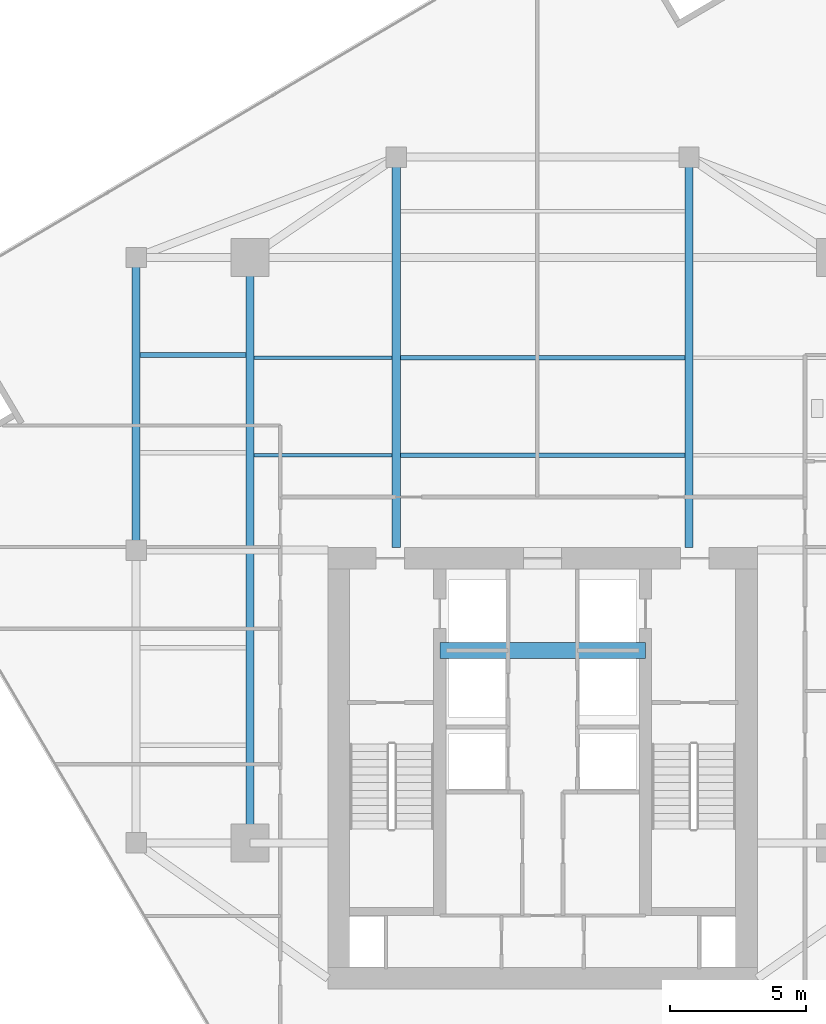
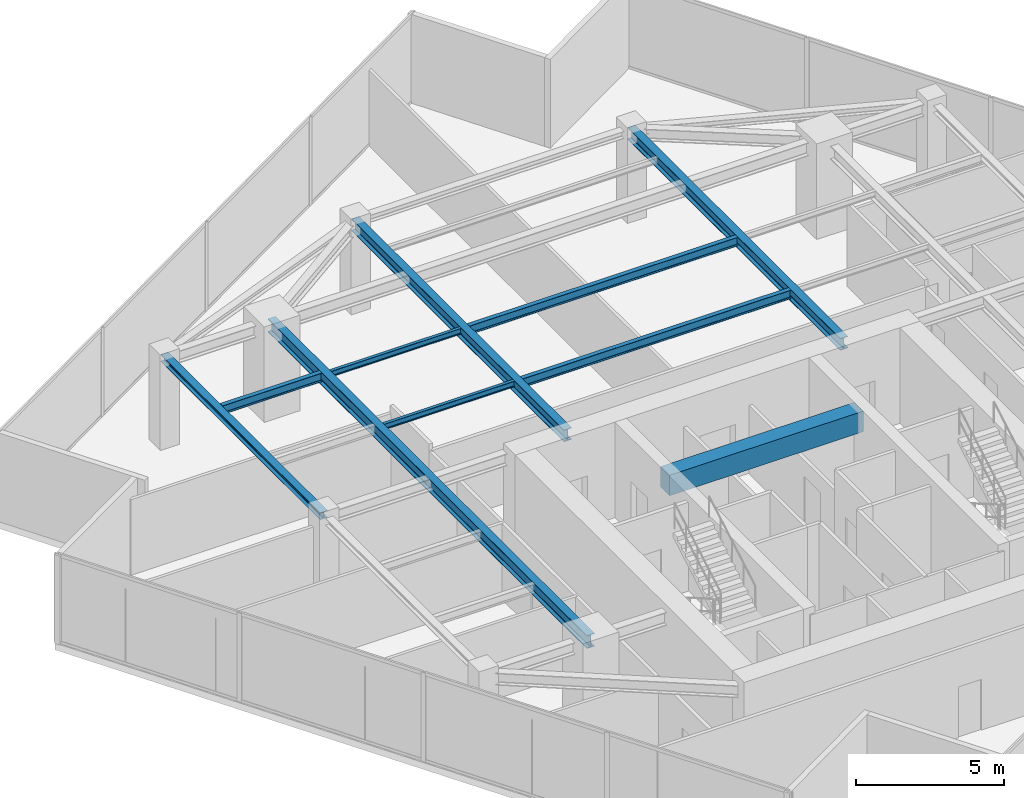
# One storey, part 7 of 20: 10 beams.
"""IFC4 building model written with IfcOpenShell, lengths in metres."""

from ifc_helpers import new_model, si_unit, direction, frame, origin, origin_2d, place, context, subcontext, project, spatial, rectangle, i_section, extrude, source, transform, mapped, material, material_profile, profile_set, type_object, type_shapes, element, save


model = new_model("IFC4")

# Units and contexts
model_context = context("Model", 3, precision=1e-05, world=origin(), true_north=direction((0.0, 1.0)))
body_context = subcontext(model_context, "Body", "Model", "MODEL_VIEW")
ifc_project = project(units=[si_unit("LENGTHUNIT", "METRE"), si_unit("AREAUNIT", "SQUARE_METRE"), si_unit("VOLUMEUNIT", "CUBIC_METRE"), si_unit("PLANEANGLEUNIT", "RADIAN"), si_unit("MASSUNIT", "GRAM", prefix="KILO")], contexts=[model_context])

# Site, building, storey
site_placement = place(None, origin())
site = spatial("IfcSite", under=ifc_project, at=site_placement, CompositionType="ELEMENT")
building_placement = place(site_placement, origin())
building = spatial("IfcBuilding", under=site, at=building_placement, Name="Krantzveldt Concourse Tower", CompositionType="ELEMENT")
storey_placement = place(building_placement, frame((0.0, 0.0, 299.0)))
storey = spatial("IfcBuildingStorey", under=building, at=storey_placement, Name="L73", CompositionType="ELEMENT", Elevation=299.0)

# Beams
ifc_material_1 = material(Name="Steel S355JR", Category="steel")
ifc_material_profile_1 = material_profile(ifc_material_1, i_section(OverallWidth=0.169921875, OverallDepth=0.360107421875, WebThickness=0.008056640625, FlangeThickness=0.0126953125, FilletRadius=0.01806640625, at=origin_2d()), Name="Steel S355JR", Category="steel")
ifc_profile_set_1 = profile_set([ifc_material_profile_1], Name="Steel S355JR - IPE 360")
beam_type_1 = type_object("IfcBeamType", Name="BM-J-IPE360", PredefinedType="JOIST", material=ifc_profile_set_1)
shared_shape_1 = source(origin(), body_context, "Body", "SweptSolid", [
    extrude(i_section(OverallWidth=0.169921875, OverallDepth=0.360107421875, WebThickness=0.008056640625, FlangeThickness=0.0126953125, FilletRadius=0.01806640625, at=origin_2d()), origin(), (0.0, 0.0, 1.0), 10.5),
])
for number, where, z_axis, x_axis, name in (
    (1, (30.75, 30.199951171875, 3.489990234375), (1.0, 0.0, 0.0), (0.0, 1.0, 0.0), "L73 Secondary Floor Joist JN-C1"),
    (2, (30.75, 33.800048828125, 3.489990234375), (1.0, 0.0, 0.0), (0.0, 1.0, 0.0), "L73 Secondary Floor Joist JN-C2"),
):
    element("IfcBeam", number, at=place(storey_placement, frame(where, z_axis=z_axis, x_axis=x_axis)), inside=storey, type_object=beam_type_1, Name=name, PredefinedType="JOIST", context=body_context, shape_type="MappedRepresentation", body=[
        mapped(shared_shape_1, transform((0.0, 0.0, 0.0), x_axis=(1.0, 0.0, 0.0), y_axis=(0.0, 1.0, 0.0), z_axis=(0.0, 0.0, 1.0), scale=1.0)),
    ])
ifc_material_profile_2 = material_profile(ifc_material_1, i_section(OverallWidth=0.300048828125, OverallDepth=0.489990234375, WebThickness=0.011962890625, FlangeThickness=0.02294921875, FilletRadius=0.027099609375, at=origin_2d()), Name="Steel S355JR", Category="steel")
ifc_profile_set_2 = profile_set([ifc_material_profile_2], Name="Steel S355JR - HEA 500")
beam_type_2 = type_object("IfcBeamType", Name="BM-B-HEA500", PredefinedType="BEAM", material=ifc_profile_set_2)
shared_shape_2 = source(origin(), body_context, "Body", "SweptSolid", [
    extrude(i_section(OverallWidth=0.300048828125, OverallDepth=0.489990234375, WebThickness=0.011962890625, FlangeThickness=0.02294921875, FilletRadius=0.027099609375, at=origin_2d()), origin(), (0.0, 0.0, 1.0), 14.39990234375),
])
type_shapes(beam_type_2, [shared_shape_2])
for number, where, z_axis, x_axis, name in (
    (3, (30.60009765625, 26.800048828125, 3.425048828125), (0.0, 1.0, 0.0), (-1.0, 0.0, 0.0), "L73 Tower Girder BG-CNW"),
    (4, (41.39990234375, 26.800048828125, 3.425048828125), (0.0, 1.0, 0.0), (-1.0, 0.0, 0.0), "L73 Tower Girder BG-CNE"),
):
    element("IfcBeam", number, at=place(storey_placement, frame(where, z_axis=z_axis, x_axis=x_axis)), inside=storey, type_object=beam_type_2, Name=name, PredefinedType="BEAM", context=body_context, shape_type="MappedRepresentation", body=[
        mapped(shared_shape_2, transform((0.0, 0.0, 0.0), x_axis=(1.0, 0.0, 0.0), y_axis=(0.0, 1.0, 0.0), z_axis=(0.0, 0.0, 1.0), scale=1.0)),
    ])
ifc_material_2 = material(Name="Concrete C50/60", Category="concrete")
ifc_material_profile_3 = material_profile(ifc_material_2, rectangle(XDim=0.60009765625, YDim=0.85009765625, at=origin_2d()), Name="Concrete C50/60", Category="concrete")
ifc_profile_set_3 = profile_set([ifc_material_profile_3], Name="Concrete C50/60 - RC-CB 600x850")
beam_type_3 = type_object("IfcBeamType", Name="BM-CB-850", PredefinedType="LINTEL", material=ifc_profile_set_3)
shared_shape_3 = source(origin(), body_context, "Body", "SweptSolid", [
    extrude(rectangle(XDim=0.60009765625, YDim=0.85009765625, at=origin_2d()), origin(), (0.0, 0.0, 1.0), 7.580078125),
])
type_shapes(beam_type_3, [shared_shape_3])
beam_1_placement = place(storey_placement, frame((32.2099609375, 23.0, 3.2451171875), z_axis=(1.0, 0.0, 0.0), x_axis=(0.0, 1.0, 0.0)))
element("IfcBeam", 5, at=beam_1_placement, inside=storey, type_object=beam_type_3, Name="CB-L73-01", PredefinedType="LINTEL", context=body_context, shape_type="MappedRepresentation", body=[
    mapped(shared_shape_3, transform((0.0, 0.0, 0.0), x_axis=(1.0, 0.0, 0.0), y_axis=(0.0, 1.0, 0.0), z_axis=(0.0, 0.0, 1.0), scale=1.0)),
])
ifc_material_profile_4 = material_profile(ifc_material_1, i_section(OverallWidth=0.300048828125, OverallDepth=0.5400390625, WebThickness=0.012451171875, FlangeThickness=0.02392578125, FilletRadius=0.027099609375, at=origin_2d()), Name="Steel S355JR", Category="steel")
ifc_profile_set_4 = profile_set([ifc_material_profile_4], Name="Steel S355JR - HEA 550")
beam_type_4 = type_object("IfcBeamType", Name="BM-B-HEA550", PredefinedType="BEAM", material=ifc_profile_set_4)
shared_shape_4 = source(origin(), body_context, "Body", "SweptSolid", [
    extrude(i_section(OverallWidth=0.300048828125, OverallDepth=0.5400390625, WebThickness=0.012451171875, FlangeThickness=0.02392578125, FilletRadius=0.027099609375, at=origin_2d()), origin(), (0.0, 0.0, 1.0), 21.60009765625),
])
type_shapes(beam_type_4, [shared_shape_4])
beam_2_placement = place(storey_placement, frame((25.199951171875, 15.89990234375, 3.39990234375), z_axis=(0.0, 1.0, 0.0), x_axis=(-1.0, 0.0, 0.0)))
element("IfcBeam", 6, at=beam_2_placement, inside=storey, type_object=beam_type_4, Name="L73 Tower Girder BG-MW", PredefinedType="BEAM", context=body_context, shape_type="MappedRepresentation", body=[
    mapped(shared_shape_4, transform((0.0, 0.0, 0.0), x_axis=(1.0, 0.0, 0.0), y_axis=(0.0, 1.0, 0.0), z_axis=(0.0, 0.0, 1.0), scale=1.0)),
])
ifc_material_profile_5 = material_profile(ifc_material_1, i_section(OverallWidth=0.2900390625, OverallDepth=0.2900390625, WebThickness=0.008544921875, FlangeThickness=0.013916015625, FilletRadius=0.027099609375, at=origin_2d()), Name="Steel S355JR", Category="steel")
ifc_profile_set_5 = profile_set([ifc_material_profile_5], Name="Steel S355JR - HEA 300")
beam_type_5 = type_object("IfcBeamType", Name="BM-SP-HEA300", PredefinedType="SPANDREL", material=ifc_profile_set_5)
shared_shape_5 = source(origin(), body_context, "Body", "SweptSolid", [
    extrude(i_section(OverallWidth=0.2900390625, OverallDepth=0.2900390625, WebThickness=0.008544921875, FlangeThickness=0.013916015625, FilletRadius=0.027099609375, at=origin_2d()), origin(), (0.0, 0.0, 1.0), 10.800048828125),
])
type_shapes(beam_type_5, [shared_shape_5])
beam_3_placement = place(storey_placement, frame((21.0, 26.699951171875, 3.52490234375), z_axis=(0.0, 1.0, 0.0), x_axis=(-1.0, 0.0, 0.0)))
element("IfcBeam", 7, at=beam_3_placement, inside=storey, type_object=beam_type_5, Name="L73 Tower Girder SP-R02", PredefinedType="SPANDREL", context=body_context, shape_type="MappedRepresentation", body=[
    mapped(shared_shape_5, transform((0.0, 0.0, 0.0), x_axis=(1.0, 0.0, 0.0), y_axis=(0.0, 1.0, 0.0), z_axis=(0.0, 0.0, 1.0), scale=1.0)),
])
ifc_material_profile_6 = material_profile(ifc_material_1, i_section(OverallWidth=0.1201171875, OverallDepth=0.239990234375, WebThickness=0.006103515625, FlangeThickness=0.009765625, FilletRadius=0.014892578125, at=origin_2d()), Name="Steel S355JR", Category="steel")
ifc_profile_set_6 = profile_set([ifc_material_profile_6], Name="Steel S355JR - IPE 240")
beam_type_6 = type_object("IfcBeamType", Name="BM-LN-IPE240", PredefinedType="LINTEL", material=ifc_profile_set_6)
shared_shape_6 = source(origin(), body_context, "Body", "SweptSolid", [
    extrude(i_section(OverallWidth=0.1201171875, OverallDepth=0.239990234375, WebThickness=0.006103515625, FlangeThickness=0.009765625, FilletRadius=0.014892578125, at=origin_2d()), origin(), (0.0, 0.0, 1.0), 5.099853515625),
])
type_shapes(beam_type_6, [shared_shape_6])
for number, where, z_axis, x_axis, name in (
    (8, (25.35009765625, 30.199951171875, 3.550048828125), (1.0, 0.0, 0.0), (0.0, 1.0, 0.0), "L73 Secondary Floor Joist JN-W1"),
    (9, (25.35009765625, 33.800048828125, 3.550048828125), (1.0, 0.0, 0.0), (0.0, 1.0, 0.0), "L73 Secondary Floor Joist JN-W2"),
):
    element("IfcBeam", number, at=place(storey_placement, frame(where, z_axis=z_axis, x_axis=x_axis)), inside=storey, type_object=beam_type_6, Name=name, PredefinedType="LINTEL", context=body_context, shape_type="MappedRepresentation", body=[
        mapped(shared_shape_6, transform((0.0, 0.0, 0.0), x_axis=(1.0, 0.0, 0.0), y_axis=(0.0, 1.0, 0.0), z_axis=(0.0, 0.0, 1.0), scale=1.0)),
    ])
shared_shape_7 = source(origin(), body_context, "Body", "SweptSolid", [
    extrude(i_section(OverallWidth=0.169921875, OverallDepth=0.360107421875, WebThickness=0.008056640625, FlangeThickness=0.0126953125, FilletRadius=0.01806640625, at=origin_2d()), origin(), (0.0, 0.0, 1.0), 3.900146484375),
])
type_shapes(beam_type_1, [shared_shape_1, shared_shape_7])
beam_4_placement = place(storey_placement, frame((21.14990234375, 33.89990234375, 3.489990234375), z_axis=(1.0, 0.0, 0.0), x_axis=(0.0, 1.0, 0.0)))
element("IfcBeam", 10, at=beam_4_placement, inside=storey, type_object=beam_type_1, Name="L73 Secondary Floor Joist JW-4", PredefinedType="JOIST", context=body_context, shape_type="MappedRepresentation", body=[
    mapped(shared_shape_7, transform((0.0, 0.0, 0.0), x_axis=(1.0, 0.0, 0.0), y_axis=(0.0, 1.0, 0.0), z_axis=(0.0, 0.0, 1.0), scale=1.0)),
])

save(model, "model.ifc")
